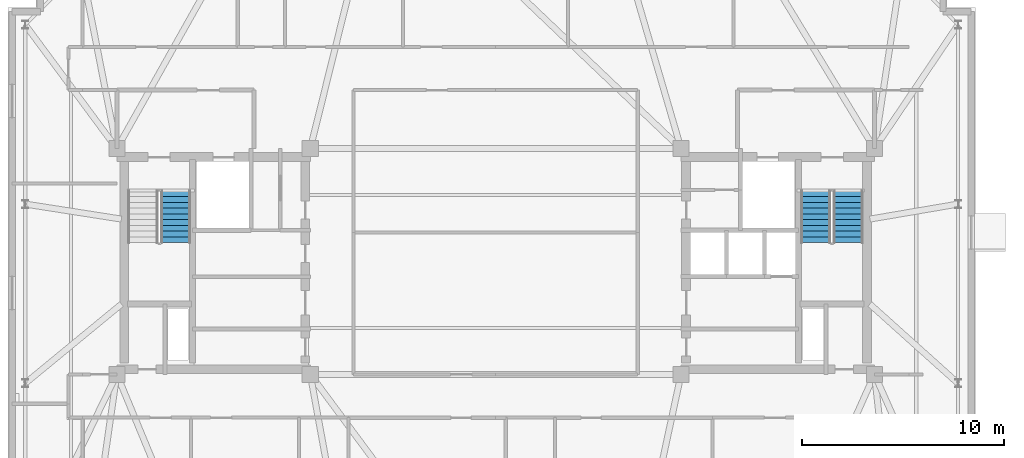
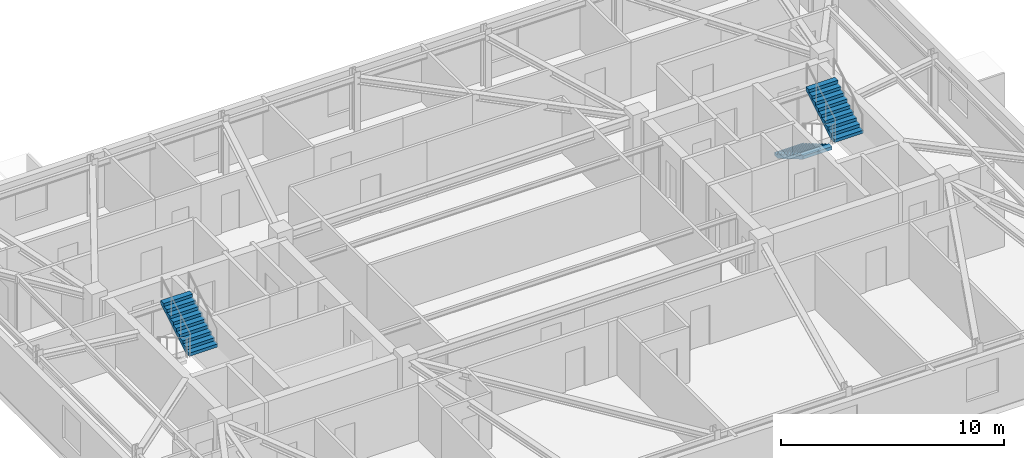
# One storey, part 9 of 11: 3 stair flights, 2 elements without a shape of their own.
"""IFC4 building model written with IfcOpenShell, lengths in metres."""

from ifc_helpers import new_model, si_unit, direction, frame, origin, place, context, subcontext, project, spatial, polyline, outline, extrude, material, type_object, element, aggregate, save


model = new_model("IFC4")

# Units and contexts
model_context = context("Model", 3, precision=1e-05, world=origin(), true_north=direction((0.0, 1.0)))
body_context = subcontext(model_context, "Body", "Model", "MODEL_VIEW")
ifc_project = project(units=[si_unit("LENGTHUNIT", "METRE"), si_unit("AREAUNIT", "SQUARE_METRE"), si_unit("VOLUMEUNIT", "CUBIC_METRE"), si_unit("PLANEANGLEUNIT", "RADIAN"), si_unit("MASSUNIT", "GRAM", prefix="KILO")], contexts=[model_context])

# Site, building, storey
site_placement = place(None, origin())
site = spatial("IfcSite", under=ifc_project, at=site_placement, CompositionType="ELEMENT")
building_placement = place(site_placement, origin())
building = spatial("IfcBuilding", under=site, at=building_placement, Name="Qobustan Lattice House", CompositionType="ELEMENT")
storey_placement = place(building_placement, frame((0.0, 0.0, 255.10009765625)))
storey = spatial("IfcBuildingStorey", under=building, at=storey_placement, Name="L72", CompositionType="ELEMENT", Elevation=255.10009765625)

# Stair, stair flight
ifc_material_1 = material(Name="Concrete C40/50", Category="concrete")
stair_type = type_object("IfcStairType", Name="STR-CORE-DOGLEG", PredefinedType="HALF_TURN_STAIR", material=ifc_material_1)
stair_1_placement = place(storey_placement, origin())
stair_1 = element("IfcStair", 1, at=stair_1_placement, inside=storey, type_object=stair_type, Name="L72 West protected exit stair ST-W1", PredefinedType="HALF_TURN_STAIR")
ifc_material_2 = material(Name="Concrete C40/50", Category="concrete")
stair_flight_type = type_object("IfcStairFlightType", Name="SFL-RC-1500", PredefinedType="STRAIGHT", material=ifc_material_2)
stair_flight_1_placement = place(storey_placement, frame((-15.8798828125, 0.93505859375, 1.6748046875), z_axis=(0.0, 0.0, 1.0), x_axis=(0.0, 1.0, 0.0)))
stair_flight_1 = element("IfcStairFlight", 2, at=stair_flight_1_placement, type_object=stair_flight_type, Name="ST-W1 flight 2", NumberOfRisers=10, NumberOfTreads=9, PredefinedType="STRAIGHT", RiserHeight=0.1675, TreadLength=0.285, context=body_context, shape_type="SweptSolid", body=[
    extrude(outline(polyline([(0.0, 0.0), (0.0, 0.16748046875), (0.284912109375, 0.16748046875), (0.284912109375, 0.3349609375), (0.570068359375, 0.3349609375), (0.570068359375, 0.50244140625), (0.85498046875, 0.50244140625), (0.85498046875, 0.669921875), (1.139892578125, 0.669921875), (1.139892578125, 0.83740234375), (1.425048828125, 0.83740234375), (1.425048828125, 1.0048828125), (1.7099609375, 1.0048828125), (1.7099609375, 1.172607421875), (1.9951171875, 1.172607421875), (1.9951171875, 1.340087890625), (2.280029296875, 1.340087890625), (2.280029296875, 1.507568359375), (2.56494140625, 1.507568359375), (2.56494140625, 1.675048828125), (2.56494140625, 1.333740234375), (0.2958984375, 0.0), (0.0, 0.0)])), frame((0.0, 0.75, 0.0), z_axis=(0.0, -1.0, 0.0), x_axis=(1.0, 0.0, 0.0)), (0.0, 0.0, 1.0), 1.5),
])
aggregate(stair_1, [stair_flight_1])

# Stair, stair flights
stair_2_placement = place(storey_placement, origin())
stair_2 = element("IfcStair", 3, at=stair_2_placement, inside=storey, type_object=stair_type, Name="L72 East protected exit stair ST-E1", PredefinedType="HALF_TURN_STAIR")
stair_flight_2_placement = place(storey_placement, frame((15.8798828125, 3.5, 0.0), z_axis=(0.0, 0.0, 1.0), x_axis=(0.0, -1.0, 0.0)))
stair_flight_2 = element("IfcStairFlight", 4, at=stair_flight_2_placement, type_object=stair_flight_type, Name="ST-E1 flight 1", NumberOfRisers=10, NumberOfTreads=9, PredefinedType="STRAIGHT", RiserHeight=0.1675, TreadLength=0.285, context=body_context, shape_type="SweptSolid", body=[
    extrude(outline(polyline([(0.0, 0.0), (0.0, 0.16748046875), (0.284912109375, 0.16748046875), (0.284912109375, 0.3349609375), (0.570068359375, 0.3349609375), (0.570068359375, 0.50244140625), (0.85498046875, 0.50244140625), (0.85498046875, 0.669921875), (1.139892578125, 0.669921875), (1.139892578125, 0.83740234375), (1.425048828125, 0.83740234375), (1.425048828125, 1.0048828125), (1.7099609375, 1.0048828125), (1.7099609375, 1.172607421875), (1.9951171875, 1.172607421875), (1.9951171875, 1.340087890625), (2.280029296875, 1.340087890625), (2.280029296875, 1.507568359375), (2.56494140625, 1.507568359375), (2.56494140625, 1.675048828125), (2.56494140625, 1.333740234375), (0.2958984375, 0.0), (0.0, 0.0)])), frame((0.0, 0.75, 0.0), z_axis=(0.0, -1.0, 0.0), x_axis=(1.0, 0.0, 0.0)), (0.0, 0.0, 1.0), 1.5),
])
stair_flight_3_placement = place(storey_placement, frame((17.5, 0.93505859375, 1.6748046875), z_axis=(0.0, 0.0, 1.0), x_axis=(0.0, 1.0, 0.0)))
stair_flight_3 = element("IfcStairFlight", 5, at=stair_flight_3_placement, type_object=stair_flight_type, Name="ST-E1 flight 2", NumberOfRisers=10, NumberOfTreads=9, PredefinedType="STRAIGHT", RiserHeight=0.1675, TreadLength=0.285, context=body_context, shape_type="SweptSolid", body=[
    extrude(outline(polyline([(0.0, 0.0), (0.0, 0.16748046875), (0.284912109375, 0.16748046875), (0.284912109375, 0.3349609375), (0.570068359375, 0.3349609375), (0.570068359375, 0.50244140625), (0.85498046875, 0.50244140625), (0.85498046875, 0.669921875), (1.139892578125, 0.669921875), (1.139892578125, 0.83740234375), (1.425048828125, 0.83740234375), (1.425048828125, 1.0048828125), (1.7099609375, 1.0048828125), (1.7099609375, 1.172607421875), (1.9951171875, 1.172607421875), (1.9951171875, 1.340087890625), (2.280029296875, 1.340087890625), (2.280029296875, 1.507568359375), (2.56494140625, 1.507568359375), (2.56494140625, 1.675048828125), (2.56494140625, 1.333740234375), (0.2958984375, 0.0), (0.0, 0.0)])), frame((0.0, 0.75, 0.0), z_axis=(0.0, -1.0, 0.0), x_axis=(1.0, 0.0, 0.0)), (0.0, 0.0, 1.0), 1.5),
])
aggregate(stair_2, [stair_flight_2, stair_flight_3])

save(model, "model.ifc")
